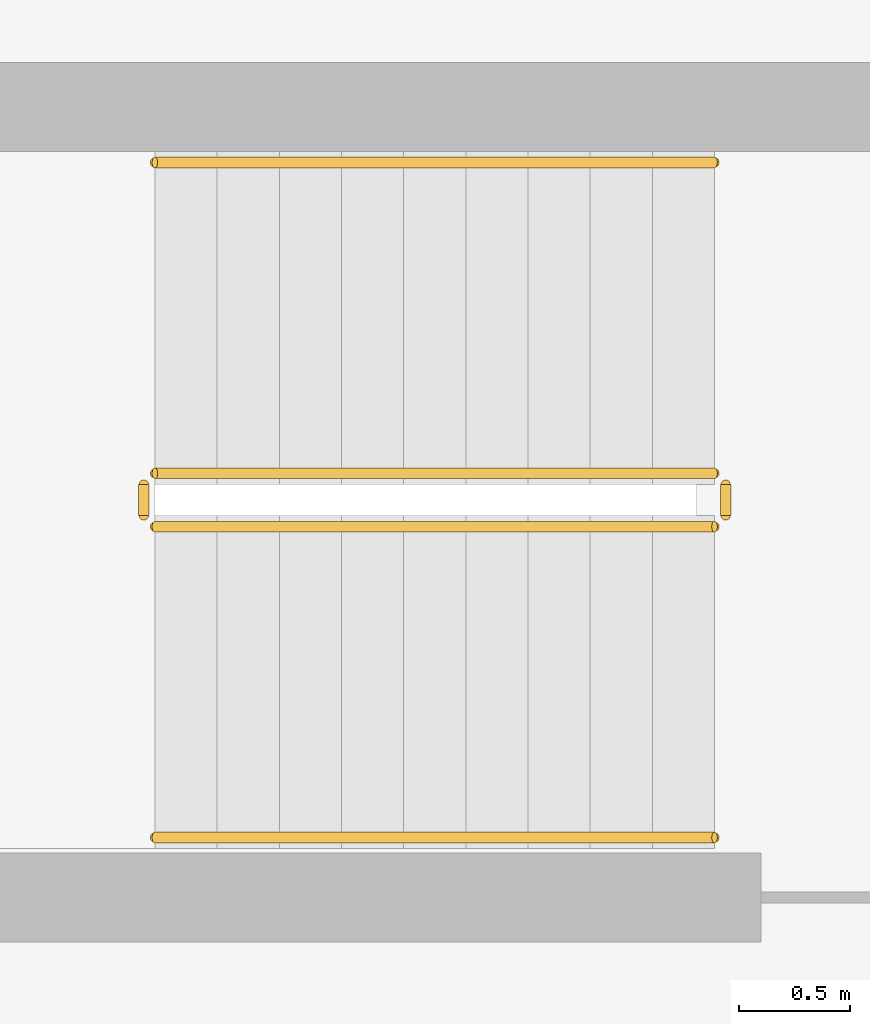
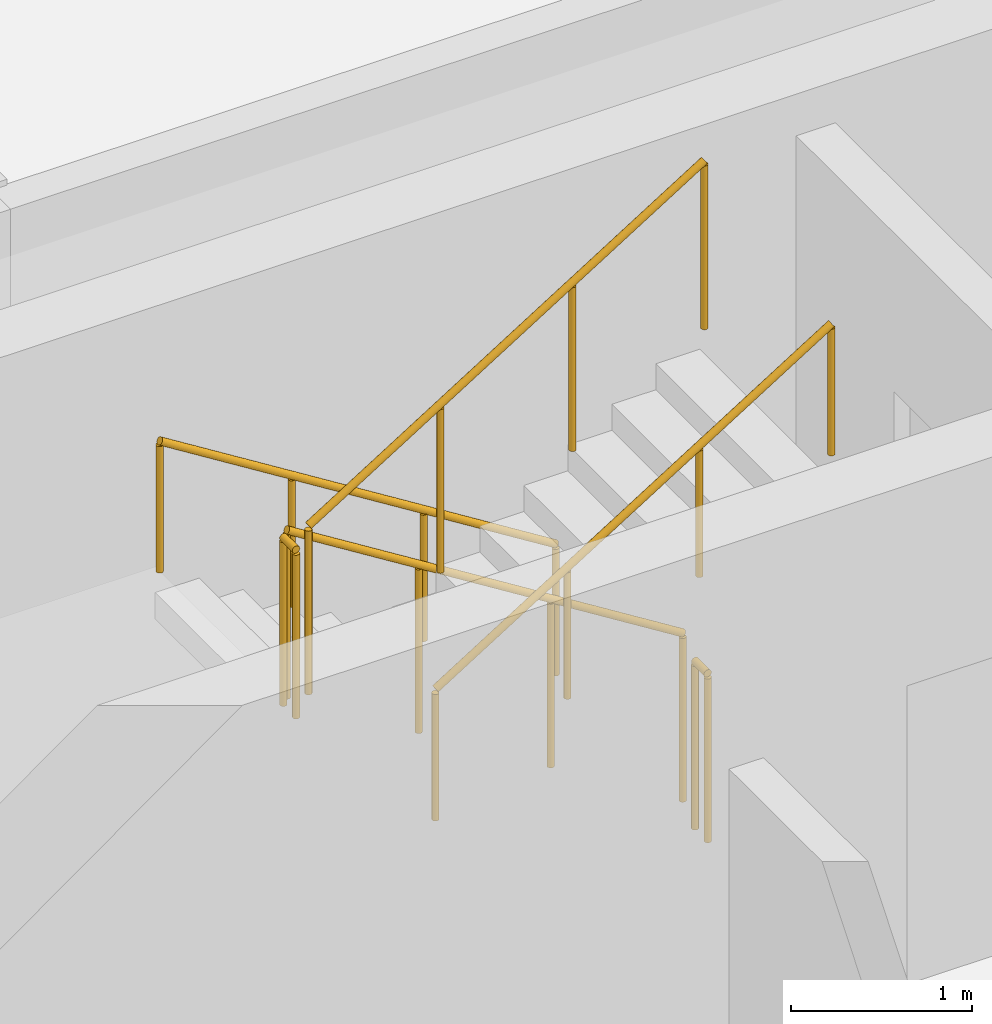
# One storey, part 13 of 14: 6 railings.
"""IFC4 building model written with IfcOpenShell, lengths in metres."""

from ifc_helpers import new_model, si_unit, derived_unit, direction, frame, origin, origin_2d, place, context, subcontext, project, spatial, circle, extrude, material, type_object, element, save


model = new_model("IFC4")

# Units and contexts
model_context = context("Model", 3, precision=1e-05, world=origin(), true_north=direction((0.0, 1.0)))
body_context = subcontext(model_context, "Body", "Model", "MODEL_VIEW")
ifc_project = project(units=[si_unit("LENGTHUNIT", "METRE"), si_unit("AREAUNIT", "SQUARE_METRE"), si_unit("VOLUMEUNIT", "CUBIC_METRE"), si_unit("PLANEANGLEUNIT", "RADIAN"), si_unit("MASSUNIT", "GRAM", prefix="KILO"), derived_unit("THERMALTRANSMITTANCEUNIT", [(si_unit("POWERUNIT", "WATT"), 1), (si_unit("LENGTHUNIT", "METRE"), -2), (si_unit("THERMODYNAMICTEMPERATUREUNIT", "KELVIN"), -1)])], contexts=[model_context])

# Site, building, storey
site_placement = place(None, origin())
site = spatial("IfcSite", under=ifc_project, at=site_placement, CompositionType="ELEMENT")
building_placement = place(site_placement, origin())
building = spatial("IfcBuilding", under=site, at=building_placement, Name="Kivonza Crest Hotel", CompositionType="ELEMENT")
storey_placement = place(building_placement, frame((0.0, 0.0, 159.0)))
storey = spatial("IfcBuildingStorey", under=building, at=storey_placement, Name="L43", CompositionType="ELEMENT", Elevation=159.0)

# Railings
ifc_material_1 = material(Name="Brushed stainless steel handrail", Category="steel")
railing_type_1 = type_object("IfcRailingType", Name="RL-HAND-900", PredefinedType="HANDRAIL", material=ifc_material_1)
railing_1_placement = place(storey_placement, frame((12.239990234375, 36.110107421875, 0.175048828125)))
element("IfcRailing", 1, at=railing_1_placement, inside=storey, type_object=railing_type_1, Name="L43 ST-T1-N stair handrail 1", PredefinedType="HANDRAIL", context=body_context, shape_type="SweptSolid", body=[
    extrude(circle(Radius=0.02392578125, at=origin_2d()), frame((0.0, 0.0, 0.8759765625), z_axis=(-0.848007534815, 0.0, 0.529984170421), x_axis=(0.0, -1.0, 0.0)), (0.0, 0.0, 1.0), 2.9716796875),
    extrude(circle(Radius=0.02099609375, at=origin_2d()), origin(), (0.0, 0.0, 1.0), 0.851806640625),
    extrude(circle(Radius=0.02099609375, at=origin_2d()), frame((-0.840087890625, 0.0, 0.52490234375)), (0.0, 0.0, 1.0), 0.851806640625),
    extrude(circle(Radius=0.02099609375, at=origin_2d()), frame((-1.679931640625, 0.0, 1.050048828125)), (0.0, 0.0, 1.0), 0.851806640625),
    extrude(circle(Radius=0.02099609375, at=origin_2d()), frame((-2.52001953125, 0.0, 1.574951171875)), (0.0, 0.0, 1.0), 0.851806640625),
])
railing_2_placement = place(storey_placement, frame((9.719970703125, 33.070068359375, 1.925048828125)))
element("IfcRailing", 2, at=railing_2_placement, inside=storey, type_object=railing_type_1, Name="L43 ST-T1-N stair handrail 2", PredefinedType="HANDRAIL", context=body_context, shape_type="SweptSolid", body=[
    extrude(circle(Radius=0.02392578125, at=origin_2d()), frame((0.0, 0.0, 0.8759765625), z_axis=(0.848007534815, 0.0, 0.529984170421), x_axis=(0.0, 1.0, 0.0)), (0.0, 0.0, 1.0), 2.9716796875),
    extrude(circle(Radius=0.02099609375, at=origin_2d()), origin(), (0.0, 0.0, 1.0), 0.851806640625),
    extrude(circle(Radius=0.02099609375, at=origin_2d()), frame((0.840087890625, 0.0, 0.52490234375)), (0.0, 0.0, 1.0), 0.851806640625),
    extrude(circle(Radius=0.02099609375, at=origin_2d()), frame((1.679931640625, 0.0, 1.050048828125)), (0.0, 0.0, 1.0), 0.851806640625),
    extrude(circle(Radius=0.02099609375, at=origin_2d()), frame((2.52001953125, 0.0, 1.574951171875)), (0.0, 0.0, 1.0), 0.851806640625),
])
ifc_material_2 = material(Name="Painted steel balustrade", Category="steel")
railing_type_2 = type_object("IfcRailingType", Name="RL-STAIR-1150", PredefinedType="BALUSTRADE", material=ifc_material_2)
railing_3_placement = place(storey_placement, frame((12.239990234375, 34.7099609375, 0.175048828125)))
element("IfcRailing", 3, at=railing_3_placement, inside=storey, type_object=railing_type_2, Name="L43 ST-T1-N stair guard 1", PredefinedType="BALUSTRADE", context=body_context, shape_type="SweptSolid", body=[
    extrude(circle(Radius=0.02392578125, at=origin_2d()), frame((0.0, 0.0, 1.1259765625), z_axis=(-0.848007534815, 0.0, 0.529984170421), x_axis=(0.0, -1.0, 0.0)), (0.0, 0.0, 1.0), 2.9716796875),
    extrude(circle(Radius=0.02099609375, at=origin_2d()), origin(), (0.0, 0.0, 1.0), 1.101806640625),
    extrude(circle(Radius=0.02099609375, at=origin_2d()), frame((-0.840087890625, 0.0, 0.52490234375)), (0.0, 0.0, 1.0), 1.101806640625),
    extrude(circle(Radius=0.02099609375, at=origin_2d()), frame((-1.679931640625, 0.0, 1.050048828125)), (0.0, 0.0, 1.0), 1.101806640625),
    extrude(circle(Radius=0.02099609375, at=origin_2d()), frame((-2.52001953125, 0.0, 1.574951171875)), (0.0, 0.0, 1.0), 1.101806640625),
])
railing_4_placement = place(storey_placement, frame((9.669921875, 34.659912109375, 1.75)))
element("IfcRailing", 4, at=railing_4_placement, inside=storey, type_object=railing_type_2, Name="L43 ST-T1-N stair guard 2", PredefinedType="BALUSTRADE", context=body_context, shape_type="SweptSolid", body=[
    extrude(circle(Radius=0.02392578125, at=origin_2d()), frame((0.0, 0.0, 1.1259765625), z_axis=(0.0, -1.0, 0.0), x_axis=(1.0, 0.0, 0.0)), (0.0, 0.0, 1.0), 0.139892578125),
    extrude(circle(Radius=0.02099609375, at=origin_2d()), origin(), (0.0, 0.0, 1.0), 1.101806640625),
    extrude(circle(Radius=0.02099609375, at=origin_2d()), frame((0.0, -0.139892578125, 0.0)), (0.0, 0.0, 1.0), 1.101806640625),
])
railing_5_placement = place(storey_placement, frame((9.719970703125, 34.469970703125, 1.925048828125)))
element("IfcRailing", 5, at=railing_5_placement, inside=storey, type_object=railing_type_2, Name="L43 ST-T1-N stair guard 3", PredefinedType="BALUSTRADE", context=body_context, shape_type="SweptSolid", body=[
    extrude(circle(Radius=0.02392578125, at=origin_2d()), frame((0.0, 0.0, 1.1259765625), z_axis=(0.848007534815, 0.0, 0.529984170421), x_axis=(0.0, 1.0, 0.0)), (0.0, 0.0, 1.0), 2.9716796875),
    extrude(circle(Radius=0.02099609375, at=origin_2d()), origin(), (0.0, 0.0, 1.0), 1.101806640625),
    extrude(circle(Radius=0.02099609375, at=origin_2d()), frame((0.840087890625, 0.0, 0.52490234375)), (0.0, 0.0, 1.0), 1.101806640625),
    extrude(circle(Radius=0.02099609375, at=origin_2d()), frame((1.679931640625, 0.0, 1.050048828125)), (0.0, 0.0, 1.0), 1.101806640625),
    extrude(circle(Radius=0.02099609375, at=origin_2d()), frame((2.52001953125, 0.0, 1.574951171875)), (0.0, 0.0, 1.0), 1.101806640625),
])
railing_6_placement = place(storey_placement, frame((12.2900390625, 34.659912109375, 0.0)))
element("IfcRailing", 6, at=railing_6_placement, inside=storey, type_object=railing_type_2, Name="L43 ST-T1-N stair guard 4", PredefinedType="BALUSTRADE", context=body_context, shape_type="SweptSolid", body=[
    extrude(circle(Radius=0.02392578125, at=origin_2d()), frame((0.0, 0.0, 1.1259765625), z_axis=(0.0, -1.0, 0.0), x_axis=(1.0, 0.0, 0.0)), (0.0, 0.0, 1.0), 0.139892578125),
    extrude(circle(Radius=0.02099609375, at=origin_2d()), origin(), (0.0, 0.0, 1.0), 1.101806640625),
    extrude(circle(Radius=0.02099609375, at=origin_2d()), frame((0.0, -0.139892578125, 0.0)), (0.0, 0.0, 1.0), 1.101806640625),
])

save(model, "model.ifc")
